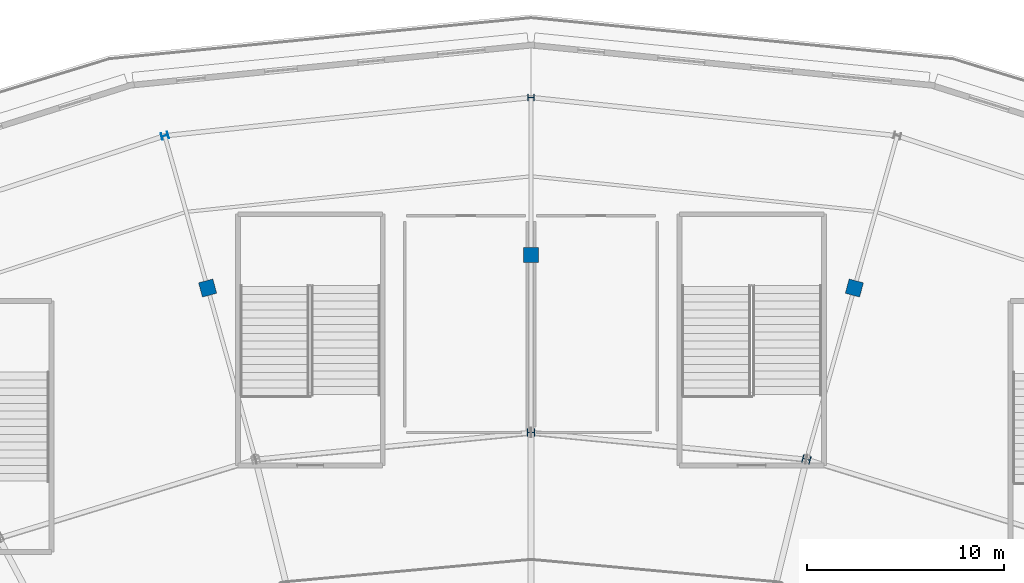
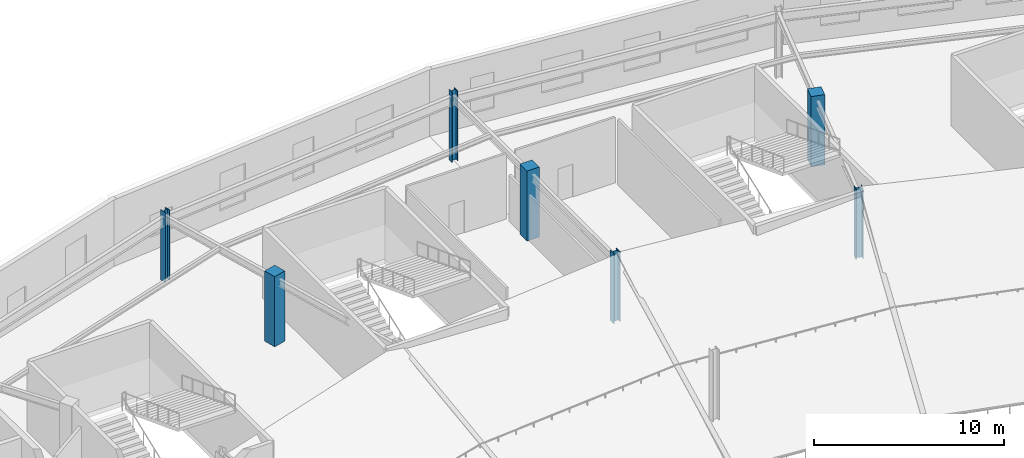
# One storey, part 9 of 63: 7 columns.
"""IFC4 building model written with IfcOpenShell, lengths in metres."""

from ifc_helpers import new_model, si_unit, direction, frame, origin, origin_2d, place, context, subcontext, project, spatial, rectangle, i_section, extrude, material, material_profile, profile_set, type_object, element, save


model = new_model("IFC4")

# Units and contexts
model_context = context("Model", 3, precision=1e-05, world=origin(), true_north=direction((0.0, 1.0)))
body_context = subcontext(model_context, "Body", "Model", "MODEL_VIEW")
ifc_project = project(units=[si_unit("LENGTHUNIT", "METRE"), si_unit("AREAUNIT", "SQUARE_METRE"), si_unit("VOLUMEUNIT", "CUBIC_METRE"), si_unit("PLANEANGLEUNIT", "RADIAN"), si_unit("MASSUNIT", "GRAM", prefix="KILO")], contexts=[model_context])

# Site, building, storey
site_placement = place(None, origin())
site = spatial("IfcSite", under=ifc_project, at=site_placement, CompositionType="ELEMENT")
building_placement = place(site_placement, origin())
building = spatial("IfcBuilding", under=site, at=building_placement, Name="Kalgoora Escarpment Arena", CompositionType="ELEMENT")
storey_placement = place(building_placement, frame((0.0, 0.0, 14.39990234375)))
storey = spatial("IfcBuildingStorey", under=building, at=storey_placement, Name="L03", CompositionType="ELEMENT", Elevation=14.39990234375)

# Columns
ifc_material_1 = material(Name="Structural steel Grade 350 (350 MPa)", Category="steel")
ifc_material_profile_1 = material_profile(ifc_material_1, i_section(OverallWidth=0.35009765625, OverallDepth=0.35009765625, WebThickness=0.013916015625, FlangeThickness=0.02392578125, at=origin_2d()))
ifc_profile_set_1 = profile_set([ifc_material_profile_1], Name="Structural steel Grade 350 (350 MPa)")
column_type_1 = type_object("IfcColumnType", Name="COL-COL-350WC197", PredefinedType="COLUMN", material=ifc_profile_set_1)
for number, where, z_axis, x_axis, name in (
    (1, (92.39990234375, 121.0, 0.0), (0.0, 0.0, 1.0), (0.0, 1.0, 0.0), "L03 structural column COL-RCONC2-R07"),
    (2, (73.81689453125, 119.057861328125, 0.0), (0.0, 0.0, 1.0), (-0.258819045103, 0.965925826289, 0.0), "L03 structural column COL-RCONC2-R08"),
):
    element("IfcColumn", number, at=place(storey_placement, frame(where, z_axis=z_axis, x_axis=x_axis)), inside=storey, type_object=column_type_1, Name=name, PredefinedType="COLUMN", context=body_context, shape_type="SweptSolid", body=[
        extrude(i_section(OverallWidth=0.35009765625, OverallDepth=0.35009765625, WebThickness=0.013916015625, FlangeThickness=0.02392578125, at=origin_2d()), origin(), (0.0, 0.0, 1.0), 4.5),
    ])
ifc_material_2 = material(Name="Structural steel Grade 350 (350 MPa)", Category="steel")
ifc_material_profile_2 = material_profile(ifc_material_2, i_section(OverallWidth=0.39990234375, OverallDepth=0.39990234375, WebThickness=0.01611328125, FlangeThickness=0.028076171875, at=origin_2d()))
ifc_profile_set_2 = profile_set([ifc_material_profile_2], Name="Structural steel Grade 350 (350 MPa)")
column_type_2 = type_object("IfcColumnType", Name="COL-COL-400WC212", PredefinedType="COLUMN", material=ifc_profile_set_2)
for number, where, z_axis, x_axis, name in (
    (3, (106.376220703125, 102.636962890625, 0.0), (0.0, 0.0, 1.0), (0.258819045103, 0.965925826289, 0.0), "L03 structural column COL-RMAIN-R06"),
    (4, (92.39990234375, 104.0, 0.0), (0.0, 0.0, 1.0), (0.0, 1.0, 0.0), "L03 structural column COL-RMAIN-R07"),
):
    element("IfcColumn", number, at=place(storey_placement, frame(where, z_axis=z_axis, x_axis=x_axis)), inside=storey, type_object=column_type_2, Name=name, PredefinedType="COLUMN", context=body_context, shape_type="SweptSolid", body=[
        extrude(i_section(OverallWidth=0.39990234375, OverallDepth=0.39990234375, WebThickness=0.01611328125, FlangeThickness=0.028076171875, at=origin_2d()), origin(), (0.0, 0.0, 1.0), 4.5),
    ])
ifc_material_3 = material(Name="Concrete N50 (fc' 50 MPa)", Category="concrete")
ifc_material_profile_3 = material_profile(ifc_material_3, rectangle(XDim=0.75, YDim=0.75, at=origin_2d()))
ifc_profile_set_3 = profile_set([ifc_material_profile_3], Name="Concrete N50 (fc' 50 MPa)")
column_type_3 = type_object("IfcColumnType", Name="COL-COL-RC750x750", PredefinedType="COLUMN", material=ifc_profile_set_3)
for number, where, z_axis, x_axis, name in (
    (5, (108.80908203125, 111.330322265625, 0.0), (0.0, 0.0, 1.0), (0.258819045103, 0.965925826289, 0.0), "L03 structural column COL-RCONC1-R06"),
    (6, (92.39990234375, 113.0, 0.0), (0.0, 0.0, 1.0), (0.0, 1.0, 0.0), "L03 structural column COL-RCONC1-R07"),
    (7, (75.990966796875, 111.330322265625, 0.0), (0.0, 0.0, 1.0), (-0.258819045103, 0.965925826289, 0.0), "L03 structural column COL-RCONC1-R08"),
):
    element("IfcColumn", number, at=place(storey_placement, frame(where, z_axis=z_axis, x_axis=x_axis)), inside=storey, type_object=column_type_3, Name=name, PredefinedType="COLUMN", context=body_context, shape_type="SweptSolid", body=[
        extrude(rectangle(XDim=0.75, YDim=0.75, at=origin_2d()), origin(), (0.0, 0.0, 1.0), 4.5),
    ])

save(model, "model.ifc")
